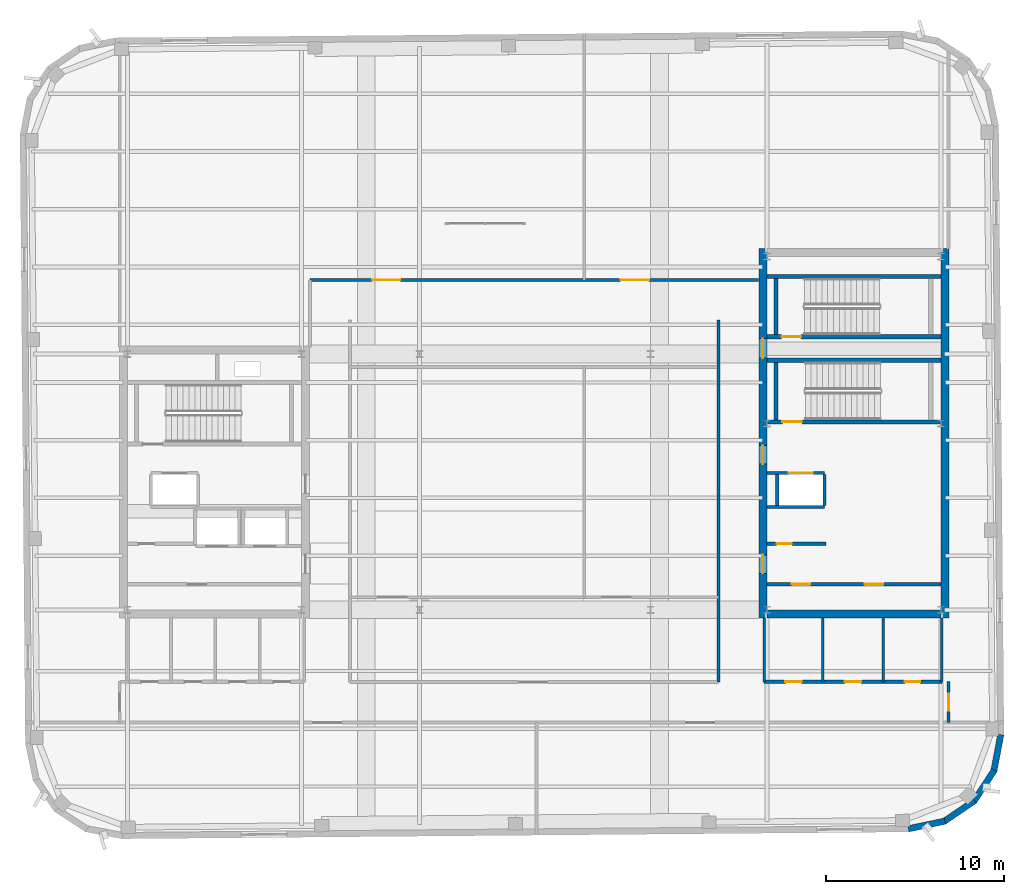
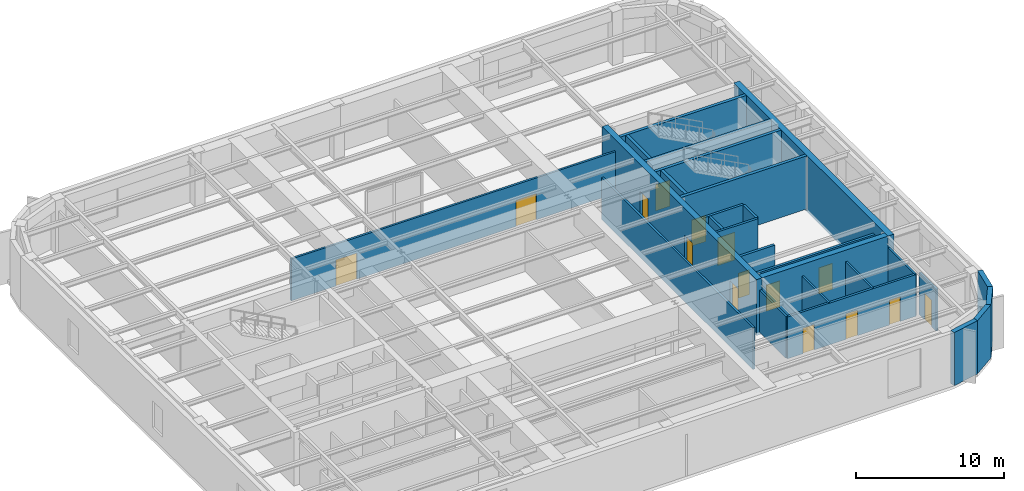
# One storey, part 9 of 14: 27 walls, 15 doors, 15 openings.
"""IFC4 building model written with IfcOpenShell, lengths in metres."""

from ifc_helpers import new_model, si_unit, direction, frame, frame_2d, origin, place, context, subcontext, project, spatial, rectangle, extrude, material, layer, layer_set, type_object, element, fill, save


model = new_model("IFC4")

# Units and contexts
model_context = context("Model", 3, precision=1e-05, world=origin(), true_north=direction((0.0, 1.0)))
body_context = subcontext(model_context, "Body", "Model", "MODEL_VIEW")
ifc_project = project(units=[si_unit("LENGTHUNIT", "METRE"), si_unit("AREAUNIT", "SQUARE_METRE"), si_unit("VOLUMEUNIT", "CUBIC_METRE"), si_unit("PLANEANGLEUNIT", "RADIAN"), si_unit("MASSUNIT", "GRAM", prefix="KILO")], contexts=[model_context])

# Site, building, storey
site_placement = place(None, origin())
site = spatial("IfcSite", under=ifc_project, at=site_placement, CompositionType="ELEMENT")
building_placement = place(site_placement, origin())
building = spatial("IfcBuilding", under=site, at=building_placement, Name="Kolvaren Arena Tower", CompositionType="ELEMENT")
storey_placement = place(building_placement, frame((0.0, 0.0, 317.199951171875)))
storey = spatial("IfcBuildingStorey", under=building, at=storey_placement, Name="L78", CompositionType="ELEMENT", Elevation=317.199951171875)

# Wall
ifc_material_1 = material(Name="Gypsum board acoustic assembly", Category="gypsum")
ifc_layer_1 = layer(ifc_material_1, 0.159912109375)
ifc_layer_set_1 = layer_set([ifc_layer_1], Name="Gypsum board acoustic assembly")
wall_type_1 = type_object("IfcWallType", Name="CORR-160", PredefinedType="PARTITIONING", material=ifc_layer_set_1)
wall_1_placement = place(storey_placement, frame((47.820068359375, 15.3798828125, 0.0), z_axis=(0.0, 0.0, 1.0), x_axis=(0.0, 1.0, 0.0)))
element("IfcWall", 1, at=wall_1_placement, inside=storey, type_object=wall_type_1, Name="Interior Partition Wall (L78)", PredefinedType="PARTITIONING", context=body_context, shape_type="SweptSolid", body=[
    extrude(rectangle(XDim=20.400146484375, YDim=0.159912109375, at=frame_2d((10.2001953125, 0.0))), origin(), (0.0, 0.0, 1.0), 3.43994140625),
])

# Wall, openings, doors
wall_2_placement = place(storey_placement, frame((24.820068359375, 38.02001953125, 0.0), z_axis=(0.0, 0.0, 1.0), x_axis=(1.0, 0.0, 0.0)))
wall_2 = element("IfcWall", 2, at=wall_2_placement, inside=storey, type_object=wall_type_1, Name="Interior Partition Wall (L78)", PredefinedType="PARTITIONING", context=body_context, shape_type="SweptSolid", body=[
    extrude(rectangle(XDim=25.260009765625, YDim=0.159912109375, at=frame_2d((12.6298828125, 0.0))), origin(), (0.0, 0.0, 1.0), 3.43994140625),
])
opening_1_placement = place(wall_2_placement, frame((3.5, 0.0, 0.0)))
opening_1 = element("IfcOpeningElement", 3, at=opening_1_placement, cuts=wall_2, Name="Opening D06", PredefinedType="OPENING", context=body_context, shape_type="SweptSolid", body=[
    extrude(rectangle(XDim=1.60009765625, YDim=2.14990234375, at=frame_2d((0.800048828125, 1.074951171875))), frame((0.0, 0.08984375, 0.0), z_axis=(0.0, -1.0, 0.0), x_axis=(1.0, 0.0, 0.0)), (0.0, 0.0, 1.0), 0.179931640625),
])
opening_2_placement = place(wall_2_placement, frame((17.5, 0.0, 0.0)))
opening_2 = element("IfcOpeningElement", 4, at=opening_2_placement, cuts=wall_2, Name="Opening D06", PredefinedType="OPENING", context=body_context, shape_type="SweptSolid", body=[
    extrude(rectangle(XDim=1.60009765625, YDim=2.14990234375, at=frame_2d((0.800048828125, 1.074951171875))), frame((0.0, 0.08984375, 0.0), z_axis=(0.0, -1.0, 0.0), x_axis=(1.0, 0.0, 0.0)), (0.0, 0.0, 1.0), 0.179931640625),
])
ifc_material_2 = material(Name="Glazed acoustic boardroom double door", Category="aluminium")
door_type_1 = type_object("IfcDoorType", Name="DOOR-MT-160", OperationType="DOUBLE_DOOR_SINGLE_SWING", PredefinedType="DOOR", material=ifc_material_2)
door_1_placement = place(opening_1_placement, origin())
door_1 = element("IfcDoor", 5, at=door_1_placement, inside=storey, type_object=door_type_1, Name="Wintergarden Door (L78)", OperationType="DOUBLE_DOOR_SINGLE_SWING", OverallHeight=2.14990234375, OverallWidth=1.60009765625, PredefinedType="DOOR", context=body_context, shape_type="SweptSolid", body=[
    extrude(rectangle(XDim=1.60009765625, YDim=2.14990234375, at=frame_2d((0.800048828125, 1.074951171875))), frame((0.0, 0.02490234375, 0.0), z_axis=(0.0, -1.0, 0.0), x_axis=(1.0, 0.0, 0.0)), (0.0, 0.0, 1.0), 0.050048828125),
])
fill(opening_1, door_1)
door_2_placement = place(opening_2_placement, origin())
door_2 = element("IfcDoor", 6, at=door_2_placement, inside=storey, type_object=door_type_1, Name="Catering Pantry Door (L78)", OperationType="DOUBLE_DOOR_SINGLE_SWING", OverallHeight=2.14990234375, OverallWidth=1.60009765625, PredefinedType="DOOR", context=body_context, shape_type="SweptSolid", body=[
    extrude(rectangle(XDim=1.60009765625, YDim=2.14990234375, at=frame_2d((0.800048828125, 1.074951171875))), frame((0.0, 0.02490234375, 0.0), z_axis=(0.0, -1.0, 0.0), x_axis=(1.0, 0.0, 0.0)), (0.0, 0.0, 1.0), 0.050048828125),
])
fill(opening_2, door_2)

# Wall, opening, door
wall_3_placement = place(storey_placement, frame((60.780029296875, 13.1201171875, 0.0), z_axis=(0.0, 0.0, 1.0), x_axis=(0.0, 1.0, 0.0)))
wall_3 = element("IfcWall", 7, at=wall_3_placement, inside=storey, type_object=wall_type_1, Name="Interior Partition Wall (L78)", PredefinedType="PARTITIONING", context=body_context, shape_type="SweptSolid", body=[
    extrude(rectangle(XDim=2.2998046875, YDim=0.159912109375, at=frame_2d((1.14990234375, 0.0))), origin(), (0.0, 0.0, 1.0), 3.43994140625),
])
opening_3_placement = place(wall_3_placement, frame((0.64990234375, 0.0, 0.0)))
opening_3 = element("IfcOpeningElement", 8, at=opening_3_placement, cuts=wall_3, Name="Opening D05", PredefinedType="OPENING", context=body_context, shape_type="SweptSolid", body=[
    extrude(rectangle(XDim=0.949951171875, YDim=2.14990234375, at=frame_2d((0.47509765625, 1.074951171875))), frame((0.0, 0.08984375, 0.0), z_axis=(0.0, -1.0, 0.0), x_axis=(1.0, 0.0, 0.0)), (0.0, 0.0, 1.0), 0.179931640625),
])
ifc_material_3 = material(Name="Solid-core oak acoustic office door", Category="wood")
door_type_2 = type_object("IfcDoorType", Name="DOOR-OF-095", OperationType="NOTDEFINED", PredefinedType="DOOR", material=ifc_material_3)
door_3_placement = place(opening_3_placement, origin())
door_3 = element("IfcDoor", 9, at=door_3_placement, inside=storey, type_object=door_type_2, Name="East Sky Lounge Door (L78)", OperationType="SINGLE_SWING_RIGHT", OverallHeight=2.14990234375, OverallWidth=0.949951171875, PredefinedType="DOOR", context=body_context, shape_type="SweptSolid", body=[
    extrude(rectangle(XDim=0.949951171875, YDim=2.14990234375, at=frame_2d((0.47509765625, 1.074951171875))), frame((0.0, 0.02490234375, 0.0), z_axis=(0.0, -1.0, 0.0), x_axis=(1.0, 0.0, 0.0)), (0.0, 0.0, 1.0), 0.050048828125),
])
fill(opening_3, door_3)

# Wall, openings, doors
ifc_material_4 = material(Name="Concrete 55 MPa", Category="concrete")
ifc_layer_2 = layer(ifc_material_4, 0.449951171875)
ifc_layer_set_2 = layer_set([ifc_layer_2], Name="Concrete 55 MPa")
wall_type_2 = type_object("IfcWallType", Name="CWALL-450", PredefinedType="SHEAR", material=ifc_layer_set_2)
wall_4_placement = place(storey_placement, frame((50.324951171875, 19.0, -0.239990234375), z_axis=(0.0, 0.0, 1.0), x_axis=(0.0, 1.0, 0.0)))
wall_4 = element("IfcWall", 10, at=wall_4_placement, inside=storey, type_object=wall_type_2, Name="Core Shear Wall EC-WEST (L78)", PredefinedType="SHEAR", context=body_context, shape_type="SweptSolid", body=[
    extrude(rectangle(XDim=20.800048828125, YDim=0.449951171875, at=frame_2d((10.39990234375, 0.0))), origin(), (0.0, 0.0, 1.0), 4.6201171875),
])
opening_4_placement = place(wall_4_placement, frame((2.5, 0.0, 0.239990234375)))
opening_4 = element("IfcOpeningElement", 11, at=opening_4_placement, cuts=wall_4, Name="Opening D04", PredefinedType="OPENING", context=body_context, shape_type="SweptSolid", body=[
    extrude(rectangle(XDim=1.050048828125, YDim=2.14990234375, at=frame_2d((0.52490234375, 1.074951171875))), frame((0.0, 0.23486328125, 0.0), z_axis=(0.0, -1.0, 0.0), x_axis=(1.0, 0.0, 0.0)), (0.0, 0.0, 1.0), 0.469970703125),
])
opening_5_placement = place(wall_4_placement, frame((8.64990234375, 0.0, 0.239990234375)))
opening_5 = element("IfcOpeningElement", 12, at=opening_5_placement, cuts=wall_4, Name="Opening D04", PredefinedType="OPENING", context=body_context, shape_type="SweptSolid", body=[
    extrude(rectangle(XDim=1.050048828125, YDim=2.14990234375, at=frame_2d((0.52490234375, 1.074951171875))), frame((0.0, 0.23486328125, 0.0), z_axis=(0.0, -1.0, 0.0), x_axis=(1.0, 0.0, 0.0)), (0.0, 0.0, 1.0), 0.469970703125),
])
opening_6_placement = place(wall_4_placement, frame((14.6201171875, 0.0, 0.239990234375)))
opening_6 = element("IfcOpeningElement", 13, at=opening_6_placement, cuts=wall_4, Name="Opening D03", PredefinedType="OPENING", context=body_context, shape_type="SweptSolid", body=[
    extrude(rectangle(XDim=1.10009765625, YDim=2.14990234375, at=frame_2d((0.550048828125, 1.074951171875))), frame((0.0, 0.23486328125, 0.0), z_axis=(0.0, -1.0, 0.0), x_axis=(1.0, 0.0, 0.0)), (0.0, 0.0, 1.0), 0.469970703125),
])
ifc_material_5 = material(Name="Fire-rated steel lobby door", Category="steel")
door_type_3 = type_object("IfcDoorType", Name="DOOR-FF-105", OperationType="NOTDEFINED", PredefinedType="DOOR", material=ifc_material_5)
door_4_placement = place(opening_4_placement, origin())
door_4 = element("IfcDoor", 14, at=door_4_placement, inside=storey, type_object=door_type_3, Name="East Lift Lobby Fire Door (L78)", OperationType="SINGLE_SWING_RIGHT", OverallHeight=2.14990234375, OverallWidth=1.050048828125, PredefinedType="DOOR", context=body_context, shape_type="SweptSolid", body=[
    extrude(rectangle(XDim=1.050048828125, YDim=2.14990234375, at=frame_2d((0.52490234375, 1.074951171875))), frame((0.0, 0.02490234375, 0.0), z_axis=(0.0, -1.0, 0.0), x_axis=(1.0, 0.0, 0.0)), (0.0, 0.0, 1.0), 0.050048828125),
])
fill(opening_4, door_4)
door_5_placement = place(opening_5_placement, origin())
door_5 = element("IfcDoor", 15, at=door_5_placement, inside=storey, type_object=door_type_3, Name="East Firefighter Vestibule Door (L78)", OperationType="SINGLE_SWING_LEFT", OverallHeight=2.14990234375, OverallWidth=1.050048828125, PredefinedType="DOOR", context=body_context, shape_type="SweptSolid", body=[
    extrude(rectangle(XDim=1.050048828125, YDim=2.14990234375, at=frame_2d((0.52490234375, 1.074951171875))), frame((0.0, 0.02490234375, 0.0), z_axis=(0.0, -1.0, 0.0), x_axis=(1.0, 0.0, 0.0)), (0.0, 0.0, 1.0), 0.050048828125),
])
fill(opening_5, door_5)
ifc_material_6 = material(Name="Fire-rated steel exit stair door", Category="steel")
door_type_4 = type_object("IfcDoorType", Name="DOOR-ST-110", OperationType="NOTDEFINED", PredefinedType="DOOR", material=ifc_material_6)
door_6_placement = place(opening_6_placement, origin())
door_6 = element("IfcDoor", 16, at=door_6_placement, inside=storey, type_object=door_type_4, Name="Stair ST-E2 Vestibule Fire Door (L78)", OperationType="SINGLE_SWING_LEFT", OverallHeight=2.14990234375, OverallWidth=1.10009765625, PredefinedType="DOOR", context=body_context, shape_type="SweptSolid", body=[
    extrude(rectangle(XDim=1.10009765625, YDim=2.14990234375, at=frame_2d((0.550048828125, 1.074951171875))), frame((0.0, 0.02490234375, 0.0), z_axis=(0.0, -1.0, 0.0), x_axis=(1.0, 0.0, 0.0)), (0.0, 0.0, 1.0), 0.050048828125),
])
fill(opening_6, door_6)

# Walls
wall_5_placement = place(storey_placement, frame((60.574951171875, 19.0, -0.239990234375), z_axis=(0.0, 0.0, 1.0), x_axis=(0.0, 1.0, 0.0)))
element("IfcWall", 17, at=wall_5_placement, inside=storey, type_object=wall_type_2, Name="Core Shear Wall EC-EAST (L78)", PredefinedType="SHEAR", context=body_context, shape_type="SweptSolid", body=[
    extrude(rectangle(XDim=20.800048828125, YDim=0.449951171875, at=frame_2d((10.39990234375, 0.0))), origin(), (0.0, 0.0, 1.0), 4.6201171875),
])
wall_6_placement = place(storey_placement, frame((50.550048828125, 19.22509765625, -0.239990234375), z_axis=(0.0, 0.0, 1.0), x_axis=(1.0, 0.0, 0.0)))
element("IfcWall", 18, at=wall_6_placement, inside=storey, type_object=wall_type_2, Name="Core Shear Wall EC-SOUTH (L78)", PredefinedType="SHEAR", context=body_context, shape_type="SweptSolid", body=[
    extrude(rectangle(XDim=9.800048828125, YDim=0.449951171875, at=frame_2d((4.89990234375, 0.0))), origin(), (0.0, 0.0, 1.0), 4.6201171875),
])
ifc_material_7 = material(Name="Precast concrete C50/60", Category="concrete")
ifc_layer_3 = layer(ifc_material_7, 0.360107421875)
ifc_layer_set_3 = layer_set([ifc_layer_3], Name="Precast concrete C50/60")
wall_type_3 = type_object("IfcWallType", Name="EXT-PIER2", PredefinedType="SOLIDWALL", material=ifc_layer_set_3)
wall_7_placement = place(storey_placement, frame((60.572265625, 7.54931640625, 0.0), z_axis=(0.0, 0.0, 1.0), x_axis=(-0.979059388908, -0.203574833883, 0.0)))
element("IfcWall", 19, at=wall_7_placement, inside=storey, type_object=wall_type_3, Name="Exterior Precast Masonry-Frame Wall (L78)", PredefinedType="SOLIDWALL", context=body_context, shape_type="SweptSolid", body=[
    extrude(rectangle(XDim=2.107177734375, YDim=0.360107421875, at=frame_2d((1.0537109375, 0.0))), origin(), (0.0, 0.0, 1.0), 4.380126953125),
])
for number, where, z_axis, x_axis, name in (
    (20, (62.2490234375, 8.707763671875, 0.0), (0.0, 0.0, 1.0), (-0.826572866302, -0.562829722645, 0.0), "Exterior Precast Masonry-Frame Wall (L78)"),
    (21, (63.35498046875, 10.419921875, 0.0), (0.0, 0.0, 1.0), (-0.54818559406, -0.836356714844, 0.0), "Exterior Precast Masonry-Frame Wall (L78)"),
    (22, (63.7216796875, 12.4248046875, 0.0), (0.0, 0.0, 1.0), (-0.186435855703, -0.98246713518, 0.0), "Exterior Precast Masonry-Frame Wall (L78)"),
):
    element("IfcWall", number, at=place(storey_placement, frame(where, z_axis=z_axis, x_axis=x_axis)), inside=storey, type_object=wall_type_3, Name=name, PredefinedType="SOLIDWALL", context=body_context, shape_type="SweptSolid", body=[
        extrude(rectangle(XDim=2.10693359375, YDim=0.360107421875, at=frame_2d((1.053466796875, 0.0))), origin(), (0.0, 0.0, 1.0), 4.380126953125),
    ])

# Wall, openings, doors
ifc_material_8 = material(Name="Concrete 40 MPa", Category="concrete")
ifc_layer_4 = layer(ifc_material_8, 0.199951171875)
ifc_layer_set_4 = layer_set([ifc_layer_4], Name="Concrete 40 MPa")
wall_type_4 = type_object("IfcWallType", Name="LOBBY-200", PredefinedType="SOLIDWALL", material=ifc_layer_set_4)
wall_8_placement = place(storey_placement, frame((50.550048828125, 20.8798828125, 0.0), z_axis=(0.0, 0.0, 1.0), x_axis=(1.0, 0.0, 0.0)))
wall_8 = element("IfcWall", 23, at=wall_8_placement, inside=storey, type_object=wall_type_4, Name="Core Shaft Wall (L78)", PredefinedType="SOLIDWALL", context=body_context, shape_type="SweptSolid", body=[
    extrude(rectangle(XDim=9.800048828125, YDim=0.199951171875, at=frame_2d((4.89990234375, 0.0))), origin(), (0.0, 0.0, 1.0), 3.43994140625),
])
opening_7_placement = place(wall_8_placement, frame((1.39990234375, 0.0, 0.0)))
opening_7 = element("IfcOpeningElement", 24, at=opening_7_placement, cuts=wall_8, Name="Opening D04", PredefinedType="OPENING", context=body_context, shape_type="SweptSolid", body=[
    extrude(rectangle(XDim=1.050048828125, YDim=2.14990234375, at=frame_2d((0.52490234375, 1.074951171875))), frame((0.0, 0.10986328125, 0.0), z_axis=(0.0, -1.0, 0.0), x_axis=(1.0, 0.0, 0.0)), (0.0, 0.0, 1.0), 0.219970703125),
])
opening_8_placement = place(wall_8_placement, frame((5.5, 0.0, 0.0)))
opening_8 = element("IfcOpeningElement", 25, at=opening_8_placement, cuts=wall_8, Name="Opening D04", PredefinedType="OPENING", context=body_context, shape_type="SweptSolid", body=[
    extrude(rectangle(XDim=1.050048828125, YDim=2.14990234375, at=frame_2d((0.52490234375, 1.074951171875))), frame((0.0, 0.10986328125, 0.0), z_axis=(0.0, -1.0, 0.0), x_axis=(1.0, 0.0, 0.0)), (0.0, 0.0, 1.0), 0.219970703125),
])
door_7_placement = place(opening_7_placement, origin())
door_7 = element("IfcDoor", 26, at=door_7_placement, inside=storey, type_object=door_type_3, Name="East Telecom Room Fire Door (L78)", OperationType="SINGLE_SWING_RIGHT", OverallHeight=2.14990234375, OverallWidth=1.050048828125, PredefinedType="DOOR", context=body_context, shape_type="SweptSolid", body=[
    extrude(rectangle(XDim=1.050048828125, YDim=2.14990234375, at=frame_2d((0.52490234375, 1.074951171875))), frame((0.0, 0.02490234375, 0.0), z_axis=(0.0, -1.0, 0.0), x_axis=(1.0, 0.0, 0.0)), (0.0, 0.0, 1.0), 0.050048828125),
])
fill(opening_7, door_7)
door_8_placement = place(opening_8_placement, origin())
door_8 = element("IfcDoor", 27, at=door_8_placement, inside=storey, type_object=door_type_3, Name="East Records Room Fire Door (L78)", OperationType="SINGLE_SWING_LEFT", OverallHeight=2.14990234375, OverallWidth=1.050048828125, PredefinedType="DOOR", context=body_context, shape_type="SweptSolid", body=[
    extrude(rectangle(XDim=1.050048828125, YDim=2.14990234375, at=frame_2d((0.52490234375, 1.074951171875))), frame((0.0, 0.02490234375, 0.0), z_axis=(0.0, -1.0, 0.0), x_axis=(1.0, 0.0, 0.0)), (0.0, 0.0, 1.0), 0.050048828125),
])
fill(opening_8, door_8)

# Wall, opening, door
wall_9_placement = place(storey_placement, frame((50.550048828125, 23.159912109375, 0.0), z_axis=(0.0, 0.0, 1.0), x_axis=(1.0, 0.0, 0.0)))
wall_9 = element("IfcWall", 28, at=wall_9_placement, inside=storey, type_object=wall_type_4, Name="Core Shaft Wall (L78)", PredefinedType="SOLIDWALL", context=body_context, shape_type="SweptSolid", body=[
    extrude(rectangle(XDim=3.329833984375, YDim=0.199951171875, at=frame_2d((1.6650390625, 0.0))), origin(), (0.0, 0.0, 1.0), 3.43994140625),
])
opening_9_placement = place(wall_9_placement, frame((0.550048828125, 0.0, 0.0)))
opening_9 = element("IfcOpeningElement", 29, at=opening_9_placement, cuts=wall_9, Name="Opening D09", PredefinedType="OPENING", context=body_context, shape_type="SweptSolid", body=[
    extrude(rectangle(XDim=0.860107421875, YDim=2.050048828125, at=frame_2d((0.43017578125, 1.02490234375))), frame((0.0, 0.10986328125, 0.0), z_axis=(0.0, -1.0, 0.0), x_axis=(1.0, 0.0, 0.0)), (0.0, 0.0, 1.0), 0.219970703125),
])
ifc_material_9 = material(Name="Fire-rated steel riser access door", Category="steel")
door_type_5 = type_object("IfcDoorType", Name="DOOR-RS-086", OperationType="NOTDEFINED", PredefinedType="DOOR", material=ifc_material_9)
door_9_placement = place(opening_9_placement, origin())
door_9 = element("IfcDoor", 30, at=door_9_placement, inside=storey, type_object=door_type_5, Name="East AV Riser Closet Door (L78)", OperationType="SINGLE_SWING_LEFT", OverallHeight=2.050048828125, OverallWidth=0.860107421875, PredefinedType="DOOR", context=body_context, shape_type="SweptSolid", body=[
    extrude(rectangle(XDim=0.860107421875, YDim=2.050048828125, at=frame_2d((0.43017578125, 1.02490234375))), frame((0.0, 0.02490234375, 0.0), z_axis=(0.0, -1.0, 0.0), x_axis=(1.0, 0.0, 0.0)), (0.0, 0.0, 1.0), 0.050048828125),
])
fill(opening_9, door_9)

ifc_material_10 = material(Name="Concrete 45 MPa", Category="concrete")
ifc_layer_5 = layer(ifc_material_10, 0.25)
ifc_layer_set_5 = layer_set([ifc_layer_5], Name="Concrete 45 MPa")
wall_type_5 = type_object("IfcWallType", Name="SHAFT-250", PredefinedType="SOLIDWALL", material=ifc_layer_set_5)
wall_10_placement = place(storey_placement, frame((60.35009765625, 30.030029296875, 0.0), z_axis=(0.0, 0.0, 1.0), x_axis=(-1.0, 0.0, 0.0)))
wall_10 = element("IfcWall", 31, at=wall_10_placement, inside=storey, type_object=wall_type_5, Name="Core Shaft Wall (L78)", PredefinedType="SOLIDWALL", context=body_context, shape_type="SweptSolid", body=[
    extrude(rectangle(XDim=9.800048828125, YDim=0.239990234375, at=frame_2d((4.89990234375, 0.0))), origin(), (0.0, 0.0, 1.0), 4.380126953125),
])
opening_10_placement = place(wall_10_placement, frame((7.830078125, 0.0, 0.0)))
opening_10 = element("IfcOpeningElement", 32, at=opening_10_placement, cuts=wall_10, Name="Opening D03", PredefinedType="OPENING", context=body_context, shape_type="SweptSolid", body=[
    extrude(rectangle(XDim=1.10009765625, YDim=2.14990234375, at=frame_2d((0.550048828125, 1.074951171875))), frame((0.0, 0.1298828125, 0.0), z_axis=(0.0, -1.0, 0.0), x_axis=(1.0, 0.0, 0.0)), (0.0, 0.0, 1.0), 0.260009765625),
])
door_10_placement = place(opening_10_placement, origin())
door_10 = element("IfcDoor", 33, at=door_10_placement, inside=storey, type_object=door_type_4, Name="Stair ST-E1 Fire Door (L78)", OperationType="SINGLE_SWING_LEFT", OverallHeight=2.14990234375, OverallWidth=1.10009765625, PredefinedType="DOOR", context=body_context, shape_type="SweptSolid", body=[
    extrude(rectangle(XDim=1.10009765625, YDim=2.14990234375, at=frame_2d((0.550048828125, 1.074951171875))), frame((0.0, 0.02490234375, 0.0), z_axis=(0.0, -1.0, 0.0), x_axis=(1.0, 0.0, 0.0)), (0.0, 0.0, 1.0), 0.050048828125),
])
fill(opening_10, door_10)

# Walls
wall_11_placement = place(storey_placement, frame((50.550048828125, 33.5, 0.0), z_axis=(0.0, 0.0, 1.0), x_axis=(1.0, 0.0, 0.0)))
element("IfcWall", 34, at=wall_11_placement, inside=storey, type_object=wall_type_5, Name="Core Shaft Wall (L78)", PredefinedType="SOLIDWALL", context=body_context, shape_type="SweptSolid", body=[
    extrude(rectangle(XDim=9.800048828125, YDim=0.239990234375, at=frame_2d((4.89990234375, 0.0))), origin(), (0.0, 0.0, 1.0), 4.380126953125),
])
wall_12_placement = place(storey_placement, frame((51.06005859375, 30.14990234375, 0.0), z_axis=(0.0, 0.0, 1.0), x_axis=(0.0, 1.0, 0.0)))
element("IfcWall", 35, at=wall_12_placement, inside=storey, type_object=wall_type_5, Name="Core Shaft Wall (L78)", PredefinedType="SOLIDWALL", context=body_context, shape_type="SweptSolid", body=[
    extrude(rectangle(XDim=3.22998046875, YDim=0.239990234375, at=frame_2d((1.614990234375, 0.0))), origin(), (0.0, 0.0, 1.0), 4.380126953125),
])

# Wall, opening, door
wall_13_placement = place(storey_placement, frame((60.35009765625, 34.830078125, 0.0), z_axis=(0.0, 0.0, 1.0), x_axis=(-1.0, 0.0, 0.0)))
wall_13 = element("IfcWall", 36, at=wall_13_placement, inside=storey, type_object=wall_type_5, Name="Core Shaft Wall (L78)", PredefinedType="SOLIDWALL", context=body_context, shape_type="SweptSolid", body=[
    extrude(rectangle(XDim=9.800048828125, YDim=0.239990234375, at=frame_2d((4.89990234375, 0.0))), origin(), (0.0, 0.0, 1.0), 4.380126953125),
])
opening_11_placement = place(wall_13_placement, frame((7.8701171875, 0.0, 0.0)))
opening_11 = element("IfcOpeningElement", 37, at=opening_11_placement, cuts=wall_13, Name="Opening D03", PredefinedType="OPENING", context=body_context, shape_type="SweptSolid", body=[
    extrude(rectangle(XDim=1.10009765625, YDim=2.14990234375, at=frame_2d((0.550048828125, 1.074951171875))), frame((0.0, 0.1298828125, 0.0), z_axis=(0.0, -1.0, 0.0), x_axis=(1.0, 0.0, 0.0)), (0.0, 0.0, 1.0), 0.260009765625),
])
door_11_placement = place(opening_11_placement, origin())
door_11 = element("IfcDoor", 38, at=door_11_placement, inside=storey, type_object=door_type_4, Name="Stair ST-E2 Fire Door (L78)", OperationType="SINGLE_SWING_LEFT", OverallHeight=2.14990234375, OverallWidth=1.10009765625, PredefinedType="DOOR", context=body_context, shape_type="SweptSolid", body=[
    extrude(rectangle(XDim=1.10009765625, YDim=2.14990234375, at=frame_2d((0.550048828125, 1.074951171875))), frame((0.0, 0.02490234375, 0.0), z_axis=(0.0, -1.0, 0.0), x_axis=(1.0, 0.0, 0.0)), (0.0, 0.0, 1.0), 0.050048828125),
])
fill(opening_11, door_11)

# Walls
wall_14_placement = place(storey_placement, frame((50.550048828125, 38.219970703125, 0.0), z_axis=(0.0, 0.0, 1.0), x_axis=(1.0, 0.0, 0.0)))
element("IfcWall", 39, at=wall_14_placement, inside=storey, type_object=wall_type_5, Name="Core Shaft Wall (L78)", PredefinedType="SOLIDWALL", context=body_context, shape_type="SweptSolid", body=[
    extrude(rectangle(XDim=9.800048828125, YDim=0.239990234375, at=frame_2d((4.89990234375, 0.0))), origin(), (0.0, 0.0, 1.0), 4.380126953125),
])
wall_15_placement = place(storey_placement, frame((51.06005859375, 34.949951171875, 0.0), z_axis=(0.0, 0.0, 1.0), x_axis=(0.0, 1.0, 0.0)))
element("IfcWall", 40, at=wall_15_placement, inside=storey, type_object=wall_type_5, Name="Core Shaft Wall (L78)", PredefinedType="SOLIDWALL", context=body_context, shape_type="SweptSolid", body=[
    extrude(rectangle(XDim=3.150146484375, YDim=0.239990234375, at=frame_2d((1.5751953125, 0.0))), origin(), (0.0, 0.0, 1.0), 4.380126953125),
])

# Wall, opening, door
wall_16_placement = place(storey_placement, frame((50.550048828125, 27.155029296875, 0.0), z_axis=(0.0, 0.0, 1.0), x_axis=(1.0, 0.0, 0.0)))
wall_16 = element("IfcWall", 41, at=wall_16_placement, inside=storey, type_object=wall_type_5, Name="Core Shaft Wall (L78)", PredefinedType="SOLIDWALL", context=body_context, shape_type="SweptSolid", body=[
    extrude(rectangle(XDim=3.239990234375, YDim=0.179931640625, at=frame_2d((1.6201171875, 0.0))), origin(), (0.0, 0.0, 1.0), 4.380126953125),
])
opening_12_placement = place(wall_16_placement, frame((1.235107421875, 0.0, 0.0)))
opening_12 = element("IfcOpeningElement", 42, at=opening_12_placement, cuts=wall_16, Name="Opening LD2", PredefinedType="OPENING", context=body_context, shape_type="SweptSolid", body=[
    extrude(rectangle(XDim=1.35009765625, YDim=2.300048828125, at=frame_2d((0.675048828125, 1.14990234375))), frame((0.0, 0.099853515625, 0.0), z_axis=(0.0, -1.0, 0.0), x_axis=(1.0, 0.0, 0.0)), (0.0, 0.0, 1.0), 0.199951171875),
])
ifc_material_11 = material(Name="Stainless steel firefighter lift landing door", Category="steel")
door_type_6 = type_object("IfcDoorType", Name="DOOR-LD-135", OperationType="DOUBLE_DOOR_SLIDING", PredefinedType="DOOR", material=ifc_material_11)
door_12_placement = place(opening_12_placement, origin())
door_12 = element("IfcDoor", 43, at=door_12_placement, inside=storey, type_object=door_type_6, Name="Firefighter Lift FF-E1 Landing Door (L78)", OperationType="DOUBLE_DOOR_SLIDING", OverallHeight=2.300048828125, OverallWidth=1.35009765625, PredefinedType="DOOR", context=body_context, shape_type="SweptSolid", body=[
    extrude(rectangle(XDim=1.35009765625, YDim=2.300048828125, at=frame_2d((0.675048828125, 1.14990234375))), frame((0.0, 0.02490234375, 0.0), z_axis=(0.0, -1.0, 0.0), x_axis=(1.0, 0.0, 0.0)), (0.0, 0.0, 1.0), 0.050048828125),
])
fill(opening_12, door_12)

# Walls
wall_17_placement = place(storey_placement, frame((50.550048828125, 25.2451171875, 0.0), z_axis=(0.0, 0.0, 1.0), x_axis=(1.0, 0.0, 0.0)))
element("IfcWall", 44, at=wall_17_placement, inside=storey, type_object=wall_type_5, Name="Core Shaft Wall (L78)", PredefinedType="SOLIDWALL", context=body_context, shape_type="SweptSolid", body=[
    extrude(rectangle(XDim=3.239990234375, YDim=0.179931640625, at=frame_2d((1.6201171875, 0.0))), origin(), (0.0, 0.0, 1.0), 4.380126953125),
])
for number, where, z_axis, x_axis, name in (
    (45, (51.1298828125, 25.3349609375, 0.0), (0.0, 0.0, 1.0), (0.0, 1.0, 0.0), "Core Shaft Wall (L78)"),
    (46, (53.7900390625, 25.3349609375, 0.0), (0.0, 0.0, 1.0), (0.0, 1.0, 0.0), "Core Shaft Wall (L78)"),
):
    element("IfcWall", number, at=place(storey_placement, frame(where, z_axis=z_axis, x_axis=x_axis)), inside=storey, type_object=wall_type_5, Name=name, PredefinedType="SOLIDWALL", context=body_context, shape_type="SweptSolid", body=[
        extrude(rectangle(XDim=1.72998046875, YDim=0.179931640625, at=frame_2d((0.864990234375, 0.0))), origin(), (0.0, 0.0, 1.0), 4.380126953125),
    ])

# Wall, openings, doors
wall_18_placement = place(storey_placement, frame((50.39990234375, 15.39990234375, 0.0), z_axis=(0.0, 0.0, 1.0), x_axis=(1.0, 0.0, 0.0)))
wall_18 = element("IfcWall", 47, at=wall_18_placement, inside=storey, type_object=wall_type_5, Name="Interior Partition Wall (L78)", PredefinedType="SOLIDWALL", context=body_context, shape_type="SweptSolid", body=[
    extrude(rectangle(XDim=10.0, YDim=0.179931640625, at=frame_2d((5.0, 0.0))), origin(), (0.0, 0.0, 1.0), 3.43994140625),
])
opening_13_placement = place(wall_18_placement, frame((1.18994140625, 0.0, 0.0)))
opening_13 = element("IfcOpeningElement", 48, at=opening_13_placement, cuts=wall_18, Name="Opening D07", PredefinedType="OPENING", context=body_context, shape_type="SweptSolid", body=[
    extrude(rectangle(XDim=0.919921875, YDim=2.10009765625, at=frame_2d((0.4599609375, 1.050048828125))), frame((0.0, 0.099853515625, 0.0), z_axis=(0.0, -1.0, 0.0), x_axis=(1.0, 0.0, 0.0)), (0.0, 0.0, 1.0), 0.199951171875),
])
opening_14_placement = place(wall_18_placement, frame((4.5400390625, 0.0, 0.0)))
opening_14 = element("IfcOpeningElement", 49, at=opening_14_placement, cuts=wall_18, Name="Opening D07", PredefinedType="OPENING", context=body_context, shape_type="SweptSolid", body=[
    extrude(rectangle(XDim=0.919921875, YDim=2.10009765625, at=frame_2d((0.4599609375, 1.050048828125))), frame((0.0, 0.099853515625, 0.0), z_axis=(0.0, -1.0, 0.0), x_axis=(1.0, 0.0, 0.0)), (0.0, 0.0, 1.0), 0.199951171875),
])
opening_15_placement = place(wall_18_placement, frame((7.919921875, 0.0, 0.0)))
opening_15 = element("IfcOpeningElement", 50, at=opening_15_placement, cuts=wall_18, Name="Opening D09", PredefinedType="OPENING", context=body_context, shape_type="SweptSolid", body=[
    extrude(rectangle(XDim=0.860107421875, YDim=2.050048828125, at=frame_2d((0.43017578125, 1.02490234375))), frame((0.0, 0.099853515625, 0.0), z_axis=(0.0, -1.0, 0.0), x_axis=(1.0, 0.0, 0.0)), (0.0, 0.0, 1.0), 0.199951171875),
])
door_13_placement = place(opening_15_placement, origin())
door_13 = element("IfcDoor", 51, at=door_13_placement, inside=storey, type_object=door_type_5, Name="Mechanical Riser Closet Door (L78)", OperationType="SINGLE_SWING_RIGHT", OverallHeight=2.050048828125, OverallWidth=0.860107421875, PredefinedType="DOOR", context=body_context, shape_type="SweptSolid", body=[
    extrude(rectangle(XDim=0.860107421875, YDim=2.050048828125, at=frame_2d((0.43017578125, 1.02490234375))), frame((0.0, 0.02490234375, 0.0), z_axis=(0.0, -1.0, 0.0), x_axis=(1.0, 0.0, 0.0)), (0.0, 0.0, 1.0), 0.050048828125),
])
fill(opening_15, door_13)
ifc_material_12 = material(Name="Laminate universal washroom door", Category="wood")
door_type_7 = type_object("IfcDoorType", Name="DOOR-WC-092", OperationType="NOTDEFINED", PredefinedType="DOOR", material=ifc_material_12)
door_14_placement = place(opening_13_placement, origin())
door_14 = element("IfcDoor", 52, at=door_14_placement, inside=storey, type_object=door_type_7, Name="Staff Pantry Door (L78)", OperationType="SINGLE_SWING_RIGHT", OverallHeight=2.10009765625, OverallWidth=0.919921875, PredefinedType="DOOR", context=body_context, shape_type="SweptSolid", body=[
    extrude(rectangle(XDim=0.919921875, YDim=2.10009765625, at=frame_2d((0.4599609375, 1.050048828125))), frame((0.0, 0.02490234375, 0.0), z_axis=(0.0, -1.0, 0.0), x_axis=(1.0, 0.0, 0.0)), (0.0, 0.0, 1.0), 0.050048828125),
])
fill(opening_13, door_14)
door_15_placement = place(opening_14_placement, origin())
door_15 = element("IfcDoor", 53, at=door_15_placement, inside=storey, type_object=door_type_7, Name="Gender-Neutral Washroom Door (L78)", OperationType="SINGLE_SWING_LEFT", OverallHeight=2.10009765625, OverallWidth=0.919921875, PredefinedType="DOOR", context=body_context, shape_type="SweptSolid", body=[
    extrude(rectangle(XDim=0.919921875, YDim=2.10009765625, at=frame_2d((0.4599609375, 1.050048828125))), frame((0.0, 0.02490234375, 0.0), z_axis=(0.0, -1.0, 0.0), x_axis=(1.0, 0.0, 0.0)), (0.0, 0.0, 1.0), 0.050048828125),
])
fill(opening_14, door_15)

# Walls
ifc_material_13 = material(Name="Moisture-resistant gypsum assembly", Category="gypsum")
ifc_layer_6 = layer(ifc_material_13, 0.14990234375)
ifc_layer_set_6 = layer_set([ifc_layer_6], Name="Moisture-resistant gypsum assembly")
wall_type_6 = type_object("IfcWallType", Name="WETW-150", PredefinedType="PARTITIONING", material=ifc_layer_set_6)
for number, where, z_axis, x_axis, name in (
    (54, (53.699951171875, 15.39990234375, 0.0), (0.0, 0.0, 1.0), (0.0, 1.0, 0.0), "Interior Partition Wall (L78)"),
    (55, (57.10009765625, 15.39990234375, 0.0), (0.0, 0.0, 1.0), (0.0, 1.0, 0.0), "Interior Partition Wall (L78)"),
    (56, (50.39990234375, 15.39990234375, 0.0), (0.0, 0.0, 1.0), (0.0, 1.0, 0.0), "Interior Partition Wall (L78)"),
    (57, (60.39990234375, 15.39990234375, 0.0), (0.0, 0.0, 1.0), (0.0, 1.0, 0.0), "Interior Partition Wall (L78)"),
):
    element("IfcWall", number, at=place(storey_placement, frame(where, z_axis=z_axis, x_axis=x_axis)), inside=storey, type_object=wall_type_6, Name=name, PredefinedType="PARTITIONING", context=body_context, shape_type="SweptSolid", body=[
        extrude(rectangle(XDim=3.580078125, YDim=0.14990234375, at=frame_2d((1.7900390625, 0.0))), origin(), (0.0, 0.0, 1.0), 3.43994140625),
    ])

save(model, "model.ifc")
